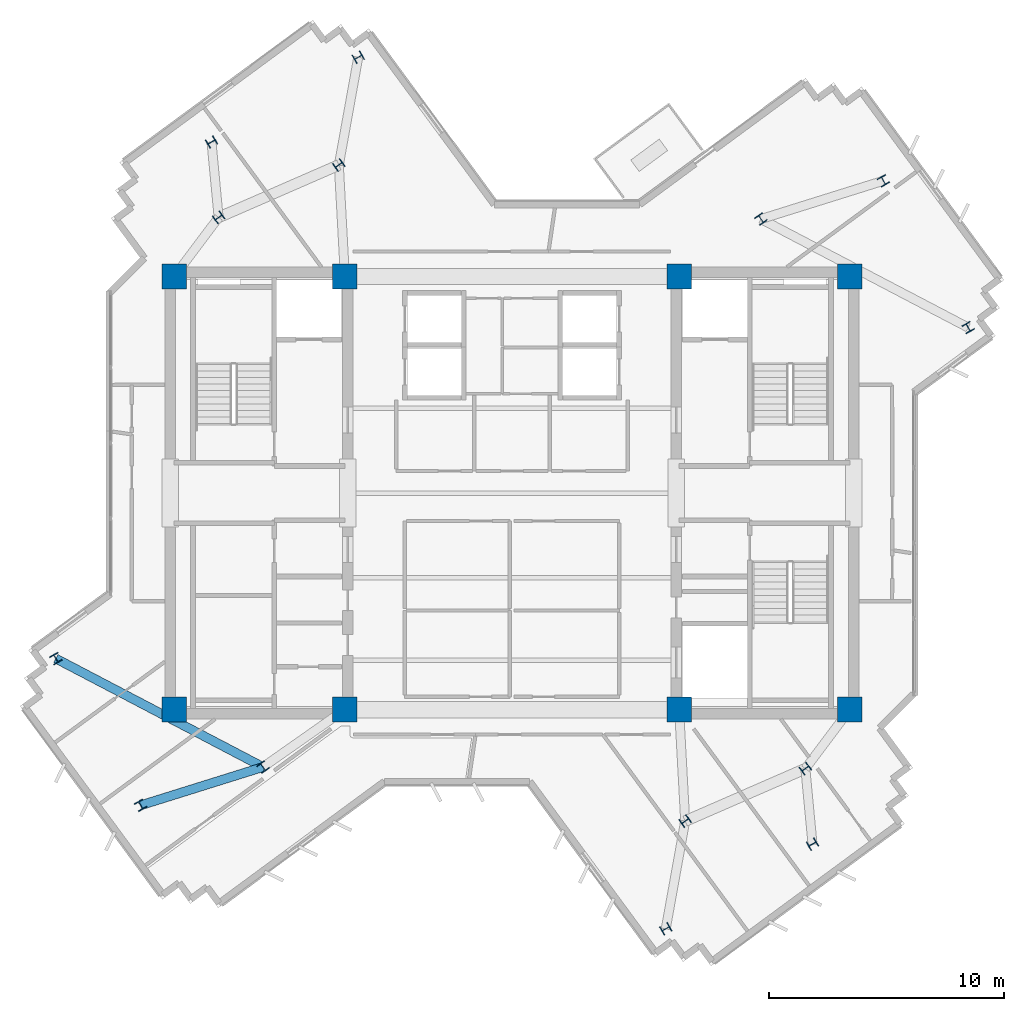
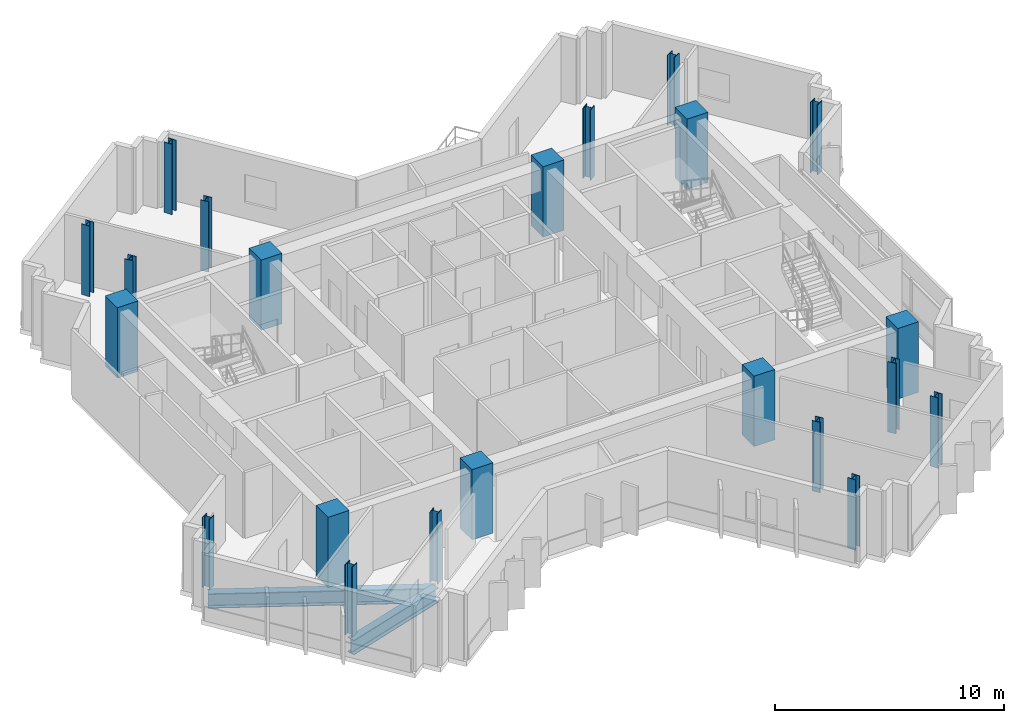
# One storey, part 1 of 13: 22 columns, 2 beams.
"""IFC4 building model written with IfcOpenShell, lengths in metres."""

from ifc_helpers import new_model, si_unit, direction, frame, origin, origin_2d, place, context, subcontext, project, spatial, rectangle, i_section, extrude, source, transform, mapped, material, material_profile, profile_set, type_object, element, save


model = new_model("IFC4")

# Units and contexts
model_context = context("Model", 3, precision=1e-05, world=origin(), true_north=direction((0.0, 1.0)))
body_context = subcontext(model_context, "Body", "Model", "MODEL_VIEW")
ifc_project = project(units=[si_unit("LENGTHUNIT", "METRE"), si_unit("AREAUNIT", "SQUARE_METRE"), si_unit("VOLUMEUNIT", "CUBIC_METRE"), si_unit("PLANEANGLEUNIT", "RADIAN"), si_unit("MASSUNIT", "GRAM", prefix="KILO")], contexts=[model_context])

# Site, building, storey
site_placement = place(None, origin())
site = spatial("IfcSite", under=ifc_project, at=site_placement, CompositionType="ELEMENT")
building_placement = place(site_placement, origin())
building = spatial("IfcBuilding", under=site, at=building_placement, Name="Zahravan Cultural Tower", CompositionType="ELEMENT")
storey_placement = place(building_placement, frame((0.0, 0.0, 272.85009765625)))
storey = spatial("IfcBuildingStorey", under=building, at=storey_placement, Name="L65", CompositionType="ELEMENT", Elevation=272.85009765625)

# Columns
ifc_material_1 = material(Name="Concrete C50/60", Category="concrete")
ifc_material_profile_1 = material_profile(ifc_material_1, rectangle(XDim=1.050048828125, YDim=1.050048828125, at=origin_2d()), Name="RC1050X1050")
ifc_profile_set_1 = profile_set([ifc_material_profile_1], Name="Concrete C50/60")
column_type_1 = type_object("IfcColumnType", Name="COL-RC1050", PredefinedType="COLUMN", material=ifc_profile_set_1)
shared_shape_1 = source(origin(), body_context, "Body", "SweptSolid", [
    extrude(rectangle(XDim=1.050048828125, YDim=1.050048828125, at=origin_2d()), origin(), (0.0, 0.0, 1.0), 3.75),
])
for number, where, z_axis, x_axis, name in (
    (1, (21.64990234375, 17.800048828125, 0.0), (0.0, 0.0, 1.0), (1.0, 0.0, 0.0), "L65 Column CC-W1"),
    (2, (28.89990234375, 17.800048828125, 0.0), (0.0, 0.0, 1.0), (1.0, 0.0, 0.0), "L65 Column CC-W2"),
    (3, (21.64990234375, 36.199951171875, 0.0), (0.0, 0.0, 1.0), (1.0, 0.0, 0.0), "L65 Column CC-W3"),
    (4, (28.89990234375, 36.199951171875, 0.0), (0.0, 0.0, 1.0), (1.0, 0.0, 0.0), "L65 Column CC-W4"),
    (5, (43.10009765625, 17.800048828125, 0.0), (0.0, 0.0, 1.0), (1.0, 0.0, 0.0), "L65 Column CC-E1"),
    (6, (50.35009765625, 17.800048828125, 0.0), (0.0, 0.0, 1.0), (1.0, 0.0, 0.0), "L65 Column CC-E2"),
    (7, (43.10009765625, 36.199951171875, 0.0), (0.0, 0.0, 1.0), (1.0, 0.0, 0.0), "L65 Column CC-E3"),
    (8, (50.35009765625, 36.199951171875, 0.0), (0.0, 0.0, 1.0), (1.0, 0.0, 0.0), "L65 Column CC-E4"),
):
    element("IfcColumn", number, at=place(storey_placement, frame(where, z_axis=z_axis, x_axis=x_axis)), inside=storey, type_object=column_type_1, Name=name, PredefinedType="COLUMN", context=body_context, shape_type="MappedRepresentation", body=[
        mapped(shared_shape_1, transform((0.0, 0.0, 0.0), x_axis=(1.0, 0.0, 0.0), y_axis=(0.0, 1.0, 0.0), z_axis=(0.0, 0.0, 1.0), scale=1.0)),
    ])
ifc_material_2 = material(Name="Steel ASTM A992 Grade 50", Category="steel")
ifc_material_profile_2 = material_profile(ifc_material_2, i_section(OverallWidth=0.39892578125, OverallDepth=0.385986328125, WebThickness=0.02099609375, FlangeThickness=0.033203125, FilletRadius=0.01806640625, at=origin_2d()), Name="W14X176")
ifc_profile_set_2 = profile_set([ifc_material_profile_2], Name="Steel ASTM A992 Grade 50")
column_type_2 = type_object("IfcColumnType", Name="COL-W14X176", PredefinedType="COLUMN", material=ifc_profile_set_2)
shared_shape_2 = source(origin(), body_context, "Body", "SweptSolid", [
    extrude(i_section(OverallWidth=0.39892578125, OverallDepth=0.385986328125, WebThickness=0.02099609375, FlangeThickness=0.033203125, FilletRadius=0.01806640625, at=origin_2d()), origin(), (0.0, 0.0, 1.0), 3.75),
])
for number, where, z_axis, x_axis, name in (
    (9, (46.577880859375, 38.640625, 0.0), (0.0, 0.0, 1.0), (0.809016994375, 0.587785252292, 0.0), "L65 Column Z3C-E2"),
    (10, (28.642578125, 40.937255859375, 0.0), (0.0, 0.0, 1.0), (-0.587785252292, 0.809016994375, 0.0), "L65 Column Z3C-N1"),
    (11, (23.536376953125, 38.710693359375, 0.0), (0.0, 0.0, 1.0), (-0.587785252292, 0.809016994375, 0.0), "L65 Column Z3C-N2"),
    (12, (25.422119140625, 15.359375, 0.0), (0.0, 0.0, 1.0), (0.809016994375, 0.587785252292, 0.0), "L65 Column Z3C-W2"),
    (13, (43.357421875, 13.062744140625, 0.0), (0.0, 0.0, 1.0), (-0.587785252292, 0.809016994375, 0.0), "L65 Column Z3C-S1"),
    (14, (48.463623046875, 15.289306640625, 0.0), (0.0, 0.0, 1.0), (-0.587785252292, 0.809016994375, 0.0), "L65 Column Z3C-S2"),
    (15, (55.38037109375, 34.0322265625, 0.0), (0.0, 0.0, 1.0), (0.866025403784, 0.5, 0.0), "L65 Column Z3T-E1"),
    (16, (51.7802734375, 40.267578125, 0.0), (0.0, 0.0, 1.0), (0.866025403784, 0.5, 0.0), "L65 Column Z3T-E2"),
    (17, (29.4677734375, 45.514404296875, 0.0), (0.0, 0.0, 1.0), (-0.5, 0.866025403784, 0.0), "L65 Column Z3T-N1"),
    (18, (23.232421875, 41.914306640625, 0.0), (0.0, 0.0, 1.0), (-0.5, 0.866025403784, 0.0), "L65 Column Z3T-N2"),
    (19, (16.61962890625, 19.9677734375, 0.0), (0.0, 0.0, 1.0), (0.866025403784, 0.5, 0.0), "L65 Column Z3T-W1"),
    (20, (20.2197265625, 13.732421875, 0.0), (0.0, 0.0, 1.0), (0.866025403784, 0.5, 0.0), "L65 Column Z3T-W2"),
    (21, (42.5322265625, 8.485595703125, 0.0), (0.0, 0.0, 1.0), (-0.5, 0.866025403784, 0.0), "L65 Column Z3T-S1"),
    (22, (48.767578125, 12.085693359375, 0.0), (0.0, 0.0, 1.0), (-0.5, 0.866025403784, 0.0), "L65 Column Z3T-S2"),
):
    element("IfcColumn", number, at=place(storey_placement, frame(where, z_axis=z_axis, x_axis=x_axis)), inside=storey, type_object=column_type_2, Name=name, PredefinedType="COLUMN", context=body_context, shape_type="MappedRepresentation", body=[
        mapped(shared_shape_2, transform((0.0, 0.0, 0.0), x_axis=(1.0, 0.0, 0.0), y_axis=(0.0, 1.0, 0.0), z_axis=(0.0, 0.0, 1.0), scale=1.0)),
    ])

# Beams
ifc_material_profile_3 = material_profile(ifc_material_2, i_section(OverallWidth=0.382080078125, OverallDepth=0.779052734375, WebThickness=0.01806640625, FlangeThickness=0.030029296875, FilletRadius=0.01904296875, at=origin_2d()), Name="W30X191")
ifc_profile_set_3 = profile_set([ifc_material_profile_3], Name="Steel ASTM A992 Grade 50")
beam_type = type_object("IfcBeamType", Name="BM-G-W30X191", PredefinedType="BEAM", material=ifc_profile_set_3)
shared_shape_3 = source(origin(), body_context, "Body", "SweptSolid", [
    extrude(i_section(OverallWidth=0.382080078125, OverallDepth=0.779052734375, WebThickness=0.01806640625, FlangeThickness=0.030029296875, FilletRadius=0.01904296875, at=origin_2d()), origin(), (0.0, 0.0, 1.0), 9.935791015625),
])
beam_1_placement = place(storey_placement, frame((25.422119140625, 15.359375, -0.6396484375), z_axis=(-0.885932031042, 0.463815088558, 0.0), x_axis=(-0.463815088558, -0.885932031042, 0.0)))
element("IfcBeam", 23, at=beam_1_placement, inside=storey, type_object=beam_type, Name="L65 Beam BG-L65-16", PredefinedType="BEAM", context=body_context, shape_type="MappedRepresentation", body=[
    mapped(shared_shape_3, transform((0.0, 0.0, 0.0), x_axis=(1.0, 0.0, 0.0), y_axis=(0.0, 1.0, 0.0), z_axis=(0.0, 0.0, 1.0), scale=1.0)),
])
shared_shape_4 = source(origin(), body_context, "Body", "SweptSolid", [
    extrude(i_section(OverallWidth=0.382080078125, OverallDepth=0.779052734375, WebThickness=0.01806640625, FlangeThickness=0.030029296875, FilletRadius=0.01904296875, at=origin_2d()), origin(), (0.0, 0.0, 1.0), 5.450927734375),
])
beam_2_placement = place(storey_placement, frame((25.422119140625, 15.359375, -0.6396484375), z_axis=(-0.954416996605, -0.298476459025, 0.0), x_axis=(0.298476459025, -0.954416996605, 0.0)))
element("IfcBeam", 24, at=beam_2_placement, inside=storey, type_object=beam_type, Name="L65 Beam BG-L65-17", PredefinedType="BEAM", context=body_context, shape_type="MappedRepresentation", body=[
    mapped(shared_shape_4, transform((0.0, 0.0, 0.0), x_axis=(1.0, 0.0, 0.0), y_axis=(0.0, 1.0, 0.0), z_axis=(0.0, 0.0, 1.0), scale=1.0)),
])

save(model, "model.ifc")
